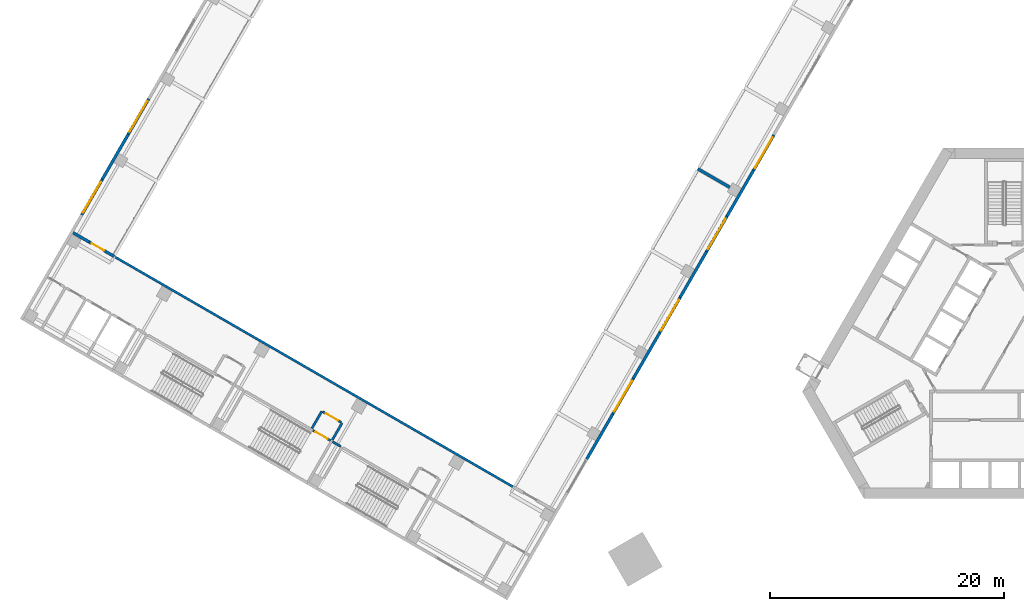
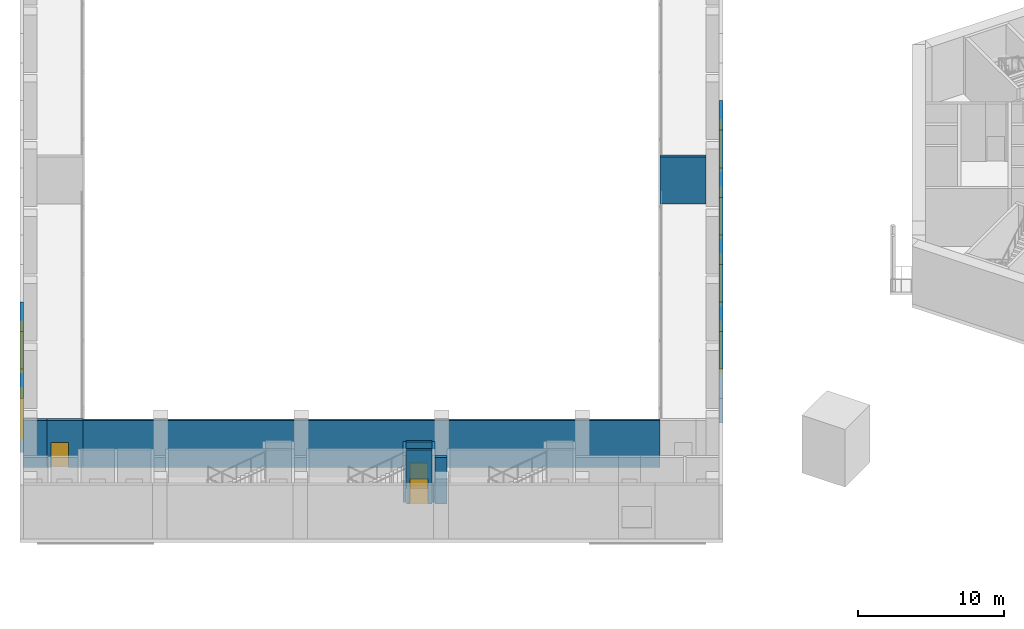
# One storey, part 7 of 28: 20 walls, 6 windows, 3 doors, 9 openings.
"""IFC4 building model written with IfcOpenShell, lengths in metres."""

from ifc_helpers import new_model, si_unit, direction, frame, frame_2d, origin, place, context, subcontext, project, spatial, rectangle, extrude, material, layer, layer_set, type_object, element, fill, save


model = new_model("IFC4")

# Units and contexts
model_context = context("Model", 3, precision=1e-05, world=origin(), true_north=direction((0.0, 1.0)))
body_context = subcontext(model_context, "Body", "Model", "MODEL_VIEW")
ifc_project = project(units=[si_unit("LENGTHUNIT", "METRE"), si_unit("AREAUNIT", "SQUARE_METRE"), si_unit("VOLUMEUNIT", "CUBIC_METRE"), si_unit("PLANEANGLEUNIT", "RADIAN"), si_unit("MASSUNIT", "GRAM", prefix="KILO")], contexts=[model_context])

# Site, building, storey
site_placement = place(None, origin())
site = spatial("IfcSite", under=ifc_project, at=site_placement, CompositionType="ELEMENT")
building_placement = place(site_placement, origin())
building = spatial("IfcBuilding", under=site, at=building_placement, Name="Mestral Congress Tower", CompositionType="ELEMENT")
storey_placement = place(building_placement, frame((0.0, 0.0, 11.39990234375)))
storey = spatial("IfcBuildingStorey", under=building, at=storey_placement, Name="L02", CompositionType="ELEMENT", Elevation=11.39990234375)

# Wall, opening, window
ifc_material_1 = material(Name="Precast concrete C40/50 with limestone facing", Category="masonry")
ifc_layer_1 = layer(ifc_material_1, 0.25)
ifc_layer_set_1 = layer_set([ifc_layer_1], Name="Precast concrete C40/50 with limestone facing")
wall_type_1 = type_object("IfcWallType", Name="Podium external wall 250", PredefinedType="SOLIDWALL", material=ifc_layer_set_1)
wall_1_placement = place(storey_placement, frame((-19.6875, 18.006103515625, 0.0), z_axis=(0.0, 0.0, 1.0), x_axis=(-0.500010275428, -0.866019471182, 0.0)))
wall_1 = element("IfcWall", 1, at=wall_1_placement, inside=storey, type_object=wall_type_1, Name="L02 external wall", PredefinedType="SOLIDWALL", context=body_context, shape_type="SweptSolid", body=[
    extrude(rectangle(XDim=3.5, YDim=0.25, at=frame_2d((1.75, 0.0))), origin(), (0.0, 0.0, 1.0), 4.5),
])
opening_1_placement = place(wall_1_placement, frame((0.25, 0.0, 0.89990234375)))
opening_1 = element("IfcOpeningElement", 2, at=opening_1_placement, cuts=wall_1, Name="Opening PW-3000x2200", PredefinedType="OPENING", context=body_context, shape_type="SweptSolid", body=[
    extrude(rectangle(XDim=3.0, YDim=2.199951171875, at=frame_2d((1.5, 1.10009765625))), frame((0.0, 0.135009765625, 0.0), z_axis=(0.0, -1.0, 0.0), x_axis=(1.0, 0.0, 0.0)), (0.0, 0.0, 1.0), 0.27001953125),
])
ifc_material_2 = material(Name="Aluminium frame, clear double glazing", Category="aluminium")
window_type = type_object("IfcWindowType", Name="Podium window 3000x2200 sill 900", PartitioningType="SINGLE_PANEL", PredefinedType="WINDOW", material=ifc_material_2)
window_1_placement = place(opening_1_placement, origin())
window_1 = element("IfcWindow", 3, at=window_1_placement, inside=storey, type_object=window_type, Name="Window", OverallHeight=2.199951171875, OverallWidth=3.0, PartitioningType="SINGLE_PANEL", PredefinedType="WINDOW", context=body_context, shape_type="SweptSolid", body=[
    extrude(rectangle(XDim=3.0, YDim=2.199951171875, at=frame_2d((1.5, 1.10009765625))), frame((0.0, 0.030029296875, 0.0), z_axis=(0.0, -1.0, 0.0), x_axis=(1.0, 0.0, 0.0)), (0.0, 0.0, 1.0), 0.06005859375),
])
fill(opening_1, window_1)

# Wall
wall_2_placement = place(storey_placement, frame((-21.4375, 14.97509765625, 0.0), z_axis=(0.0, 0.0, 1.0), x_axis=(-0.499990139034, -0.866031096941, 0.0)))
element("IfcWall", 4, at=wall_2_placement, inside=storey, type_object=wall_type_1, Name="L02 external wall", PredefinedType="SOLIDWALL", context=body_context, shape_type="SweptSolid", body=[
    extrude(rectangle(XDim=4.5, YDim=0.25, at=frame_2d((2.25, 0.0))), origin(), (0.0, 0.0, 1.0), 4.5),
])

# Wall, opening, window
wall_3_placement = place(storey_placement, frame((-23.6875, 11.077880859375, 0.0), z_axis=(0.0, 0.0, 1.0), x_axis=(-0.500010275428, -0.866019471182, 0.0)))
wall_3 = element("IfcWall", 5, at=wall_3_placement, inside=storey, type_object=wall_type_1, Name="L02 external wall", PredefinedType="SOLIDWALL", context=body_context, shape_type="SweptSolid", body=[
    extrude(rectangle(XDim=3.5, YDim=0.25, at=frame_2d((1.75, 0.0))), origin(), (0.0, 0.0, 1.0), 4.5),
])
opening_2_placement = place(wall_3_placement, frame((0.25, 0.0, 0.89990234375)))
opening_2 = element("IfcOpeningElement", 6, at=opening_2_placement, cuts=wall_3, Name="Opening PW-3000x2200", PredefinedType="OPENING", context=body_context, shape_type="SweptSolid", body=[
    extrude(rectangle(XDim=3.0, YDim=2.199951171875, at=frame_2d((1.5, 1.10009765625))), frame((0.0, 0.135009765625, 0.0), z_axis=(0.0, -1.0, 0.0), x_axis=(1.0, 0.0, 0.0)), (0.0, 0.0, 1.0), 0.27001953125),
])
window_2_placement = place(opening_2_placement, origin())
window_2 = element("IfcWindow", 7, at=window_2_placement, inside=storey, type_object=window_type, Name="Window", OverallHeight=2.199951171875, OverallWidth=3.0, PartitioningType="SINGLE_PANEL", PredefinedType="WINDOW", context=body_context, shape_type="SweptSolid", body=[
    extrude(rectangle(XDim=3.0, YDim=2.199951171875, at=frame_2d((1.5, 1.10009765625))), frame((0.0, 0.030029296875, 0.0), z_axis=(0.0, -1.0, 0.0), x_axis=(1.0, 0.0, 0.0)), (0.0, 0.0, 1.0), 0.06005859375),
])
fill(opening_2, window_2)

# Wall
wall_4_placement = place(storey_placement, frame((-25.4375, 8.046875, 0.0), z_axis=(0.0, 0.0, 1.0), x_axis=(-0.499990139034, -0.866031096941, 0.0)))
element("IfcWall", 8, at=wall_4_placement, inside=storey, type_object=wall_type_1, Name="L02 external wall", PredefinedType="SOLIDWALL", context=body_context, shape_type="SweptSolid", body=[
    extrude(rectangle(XDim=4.5, YDim=0.25, at=frame_2d((2.25, 0.0))), origin(), (0.0, 0.0, 1.0), 4.5),
])

# Wall, opening, window
wall_5_placement = place(storey_placement, frame((-27.6875, 4.149658203125, 0.0), z_axis=(0.0, 0.0, 1.0), x_axis=(-0.500010275428, -0.866019471182, 0.0)))
wall_5 = element("IfcWall", 9, at=wall_5_placement, inside=storey, type_object=wall_type_1, Name="L02 external wall", PredefinedType="SOLIDWALL", context=body_context, shape_type="SweptSolid", body=[
    extrude(rectangle(XDim=3.5, YDim=0.25, at=frame_2d((1.75, 0.0))), origin(), (0.0, 0.0, 1.0), 4.5),
])
opening_3_placement = place(wall_5_placement, frame((0.25, 0.0, 0.89990234375)))
opening_3 = element("IfcOpeningElement", 10, at=opening_3_placement, cuts=wall_5, Name="Opening PW-3000x2200", PredefinedType="OPENING", context=body_context, shape_type="SweptSolid", body=[
    extrude(rectangle(XDim=3.0, YDim=2.199951171875, at=frame_2d((1.5, 1.10009765625))), frame((0.0, 0.135009765625, 0.0), z_axis=(0.0, -1.0, 0.0), x_axis=(1.0, 0.0, 0.0)), (0.0, 0.0, 1.0), 0.27001953125),
])
window_3_placement = place(opening_3_placement, origin())
window_3 = element("IfcWindow", 11, at=window_3_placement, inside=storey, type_object=window_type, Name="Window", OverallHeight=2.199951171875, OverallWidth=3.0, PartitioningType="SINGLE_PANEL", PredefinedType="WINDOW", context=body_context, shape_type="SweptSolid", body=[
    extrude(rectangle(XDim=3.0, YDim=2.199951171875, at=frame_2d((1.5, 1.10009765625))), frame((0.0, 0.030029296875, 0.0), z_axis=(0.0, -1.0, 0.0), x_axis=(1.0, 0.0, 0.0)), (0.0, 0.0, 1.0), 0.06005859375),
])
fill(opening_3, window_3)

# Wall
wall_6_placement = place(storey_placement, frame((-29.4375, 1.11865234375, 0.0), z_axis=(0.0, 0.0, 1.0), x_axis=(-0.499990139034, -0.866031096941, 0.0)))
element("IfcWall", 12, at=wall_6_placement, inside=storey, type_object=wall_type_1, Name="L02 external wall", PredefinedType="SOLIDWALL", context=body_context, shape_type="SweptSolid", body=[
    extrude(rectangle(XDim=4.5, YDim=0.25, at=frame_2d((2.25, 0.0))), origin(), (0.0, 0.0, 1.0), 4.5),
])

# Wall, opening, window
wall_7_placement = place(storey_placement, frame((-31.6875, -2.778564453125, 0.0), z_axis=(0.0, 0.0, 1.0), x_axis=(-0.500010275428, -0.866019471182, 0.0)))
wall_7 = element("IfcWall", 13, at=wall_7_placement, inside=storey, type_object=wall_type_1, Name="L02 external wall", PredefinedType="SOLIDWALL", context=body_context, shape_type="SweptSolid", body=[
    extrude(rectangle(XDim=3.5, YDim=0.25, at=frame_2d((1.75, 0.0))), origin(), (0.0, 0.0, 1.0), 4.5),
])
opening_4_placement = place(wall_7_placement, frame((0.25, 0.0, 0.89990234375)))
opening_4 = element("IfcOpeningElement", 14, at=opening_4_placement, cuts=wall_7, Name="Opening PW-3000x2200", PredefinedType="OPENING", context=body_context, shape_type="SweptSolid", body=[
    extrude(rectangle(XDim=3.0, YDim=2.199951171875, at=frame_2d((1.5, 1.10009765625))), frame((0.0, 0.135009765625, 0.0), z_axis=(0.0, -1.0, 0.0), x_axis=(1.0, 0.0, 0.0)), (0.0, 0.0, 1.0), 0.27001953125),
])
window_4_placement = place(opening_4_placement, origin())
window_4 = element("IfcWindow", 15, at=window_4_placement, inside=storey, type_object=window_type, Name="Window", OverallHeight=2.199951171875, OverallWidth=3.0, PartitioningType="SINGLE_PANEL", PredefinedType="WINDOW", context=body_context, shape_type="SweptSolid", body=[
    extrude(rectangle(XDim=3.0, YDim=2.199951171875, at=frame_2d((1.5, 1.10009765625))), frame((0.0, 0.030029296875, 0.0), z_axis=(0.0, -1.0, 0.0), x_axis=(1.0, 0.0, 0.0)), (0.0, 0.0, 1.0), 0.06005859375),
])
fill(opening_4, window_4)

# Wall
wall_8_placement = place(storey_placement, frame((-33.4375, -5.8095703125, 0.0), z_axis=(0.0, 0.0, 1.0), x_axis=(-0.499990705068, -0.866030770149, 0.0)))
element("IfcWall", 16, at=wall_8_placement, inside=storey, type_object=wall_type_1, Name="L02 external wall", PredefinedType="SOLIDWALL", context=body_context, shape_type="SweptSolid", body=[
    extrude(rectangle(XDim=4.43798828125, YDim=0.25, at=frame_2d((2.218994140625, 0.0))), origin(), (0.0, 0.0, 1.0), 4.5),
])

# Wall, opening, window
wall_9_placement = place(storey_placement, frame((-74.790283203125, 18.0654296875, 0.0), z_axis=(0.0, 0.0, 1.0), x_axis=(0.500010275428, 0.866019471182, 0.0)))
wall_9 = element("IfcWall", 17, at=wall_9_placement, inside=storey, type_object=wall_type_1, Name="L02 external wall", PredefinedType="SOLIDWALL", context=body_context, shape_type="SweptSolid", body=[
    extrude(rectangle(XDim=3.5, YDim=0.25, at=frame_2d((1.75, 0.0))), origin(), (0.0, 0.0, 1.0), 4.5),
])
opening_5_placement = place(wall_9_placement, frame((0.25, 0.0, 0.89990234375)))
opening_5 = element("IfcOpeningElement", 18, at=opening_5_placement, cuts=wall_9, Name="Opening PW-3000x2200", PredefinedType="OPENING", context=body_context, shape_type="SweptSolid", body=[
    extrude(rectangle(XDim=3.0, YDim=2.199951171875, at=frame_2d((1.5, 1.10009765625))), frame((0.0, 0.135009765625, 0.0), z_axis=(0.0, -1.0, 0.0), x_axis=(1.0, 0.0, 0.0)), (0.0, 0.0, 1.0), 0.27001953125),
])
window_5_placement = place(opening_5_placement, origin())
window_5 = element("IfcWindow", 19, at=window_5_placement, inside=storey, type_object=window_type, Name="Window", OverallHeight=2.199951171875, OverallWidth=3.0, PartitioningType="SINGLE_PANEL", PredefinedType="WINDOW", context=body_context, shape_type="SweptSolid", body=[
    extrude(rectangle(XDim=3.0, YDim=2.199951171875, at=frame_2d((1.5, 1.10009765625))), frame((0.0, 0.030029296875, 0.0), z_axis=(0.0, -1.0, 0.0), x_axis=(1.0, 0.0, 0.0)), (0.0, 0.0, 1.0), 0.06005859375),
])
fill(opening_5, window_5)

# Wall
wall_10_placement = place(storey_placement, frame((-77.00927734375, 14.221923828125, 0.0), z_axis=(0.0, 0.0, 1.0), x_axis=(0.499990705068, 0.866030770149, 0.0)))
element("IfcWall", 20, at=wall_10_placement, inside=storey, type_object=wall_type_1, Name="L02 external wall", PredefinedType="SOLIDWALL", context=body_context, shape_type="SweptSolid", body=[
    extrude(rectangle(XDim=4.43798828125, YDim=0.25, at=frame_2d((2.218994140625, 0.0))), origin(), (0.0, 0.0, 1.0), 4.5),
])

# Wall, opening, window
wall_11_placement = place(storey_placement, frame((-78.75927734375, 11.19091796875, 0.0), z_axis=(0.0, 0.0, 1.0), x_axis=(0.500010275428, 0.866019471182, 0.0)))
wall_11 = element("IfcWall", 21, at=wall_11_placement, inside=storey, type_object=wall_type_1, Name="L02 external wall", PredefinedType="SOLIDWALL", context=body_context, shape_type="SweptSolid", body=[
    extrude(rectangle(XDim=3.5, YDim=0.25, at=frame_2d((1.75, 0.0))), origin(), (0.0, 0.0, 1.0), 4.5),
])
opening_6_placement = place(wall_11_placement, frame((0.25, 0.0, 0.89990234375)))
opening_6 = element("IfcOpeningElement", 22, at=opening_6_placement, cuts=wall_11, Name="Opening PW-3000x2200", PredefinedType="OPENING", context=body_context, shape_type="SweptSolid", body=[
    extrude(rectangle(XDim=3.0, YDim=2.199951171875, at=frame_2d((1.5, 1.10009765625))), frame((0.0, 0.135009765625, 0.0), z_axis=(0.0, -1.0, 0.0), x_axis=(1.0, 0.0, 0.0)), (0.0, 0.0, 1.0), 0.27001953125),
])
window_6_placement = place(opening_6_placement, origin())
window_6 = element("IfcWindow", 23, at=window_6_placement, inside=storey, type_object=window_type, Name="Window", OverallHeight=2.199951171875, OverallWidth=3.0, PartitioningType="SINGLE_PANEL", PredefinedType="WINDOW", context=body_context, shape_type="SweptSolid", body=[
    extrude(rectangle(XDim=3.0, YDim=2.199951171875, at=frame_2d((1.5, 1.10009765625))), frame((0.0, 0.030029296875, 0.0), z_axis=(0.0, -1.0, 0.0), x_axis=(1.0, 0.0, 0.0)), (0.0, 0.0, 1.0), 0.06005859375),
])
fill(opening_6, window_6)

# Wall
ifc_material_3 = material(Name="Masonry block wall", Category="masonry")
ifc_layer_2 = layer(ifc_material_3, 0.25)
ifc_layer_set_2 = layer_set([ifc_layer_2], Name="Masonry block wall")
wall_type_2 = type_object("IfcWallType", Name="Podium hall wall 250 EI 180", PredefinedType="SOLIDWALL", material=ifc_layer_set_2)
wall_12_placement = place(storey_placement, frame((-23.4501953125, 13.5390625, 0.0), z_axis=(0.0, 0.0, 1.0), x_axis=(-0.866035871367, 0.499981869177, 0.0)))
element("IfcWall", 24, at=wall_12_placement, inside=storey, type_object=wall_type_2, Name="L02 partition", PredefinedType="SOLIDWALL", context=body_context, shape_type="SweptSolid", body=[
    extrude(rectangle(XDim=3.14990234375, YDim=0.25, at=frame_2d((1.574951171875, 0.0))), origin(), (0.0, 0.0, 1.0), 3.900146484375),
])

# Wall, opening, door
wall_13_placement = place(storey_placement, frame((-75.987060546875, 7.642333984375, 0.0), z_axis=(0.0, 0.0, 1.0), x_axis=(-0.866014668023, 0.500018594424, 0.0)))
wall_13 = element("IfcWall", 25, at=wall_13_placement, inside=storey, type_object=wall_type_2, Name="L02 partition", PredefinedType="SOLIDWALL", context=body_context, shape_type="SweptSolid", body=[
    extrude(rectangle(XDim=2.4501953125, YDim=0.25, at=frame_2d((1.22509765625, 0.0))), origin(), (0.0, 0.0, 1.0), 3.900146484375),
])
opening_7_placement = place(wall_13_placement, frame((1.0, 0.0, 0.0)))
opening_7 = element("IfcOpeningElement", 26, at=opening_7_placement, cuts=wall_13, Name="Opening P02-320", PredefinedType="OPENING", context=body_context, shape_type="SweptSolid", body=[
    extrude(rectangle(XDim=1.199951171875, YDim=2.10009765625, at=frame_2d((0.60009765625, 1.050048828125))), frame((0.0, 0.135009765625, 0.0), z_axis=(0.0, -1.0, 0.0), x_axis=(1.0, 0.0, 0.0)), (0.0, 0.0, 1.0), 0.27001953125),
])
ifc_material_4 = material(Name="Fire-rated steel door set", Category="steel")
door_type_1 = type_object("IfcDoorType", Name="Podium hall door 1200x2100 EI2 90-C5", OperationType="SINGLE_SWING_LEFT", PredefinedType="DOOR", material=ifc_material_4)
door_1_placement = place(opening_7_placement, origin())
door_1 = element("IfcDoor", 27, at=door_1_placement, inside=storey, type_object=door_type_1, Name="Door P02-320", OperationType="SINGLE_SWING_LEFT", OverallHeight=2.10009765625, OverallWidth=1.199951171875, PredefinedType="DOOR", context=body_context, shape_type="SweptSolid", body=[
    extrude(rectangle(XDim=1.199951171875, YDim=2.10009765625, at=frame_2d((0.60009765625, 1.050048828125))), frame((0.0, 0.02490234375, 0.0), z_axis=(0.0, -1.0, 0.0), x_axis=(1.0, 0.0, 0.0)), (0.0, 0.0, 1.0), 0.050048828125),
])
fill(opening_7, door_1)

# Wall
wall_14_placement = place(storey_placement, frame((-78.10888671875, 8.867431640625, 0.0), z_axis=(0.0, 0.0, 1.0), x_axis=(-0.865989903783, 0.500061482766, 0.0)))
element("IfcWall", 28, at=wall_14_placement, inside=storey, type_object=wall_type_2, Name="L02 partition", PredefinedType="SOLIDWALL", context=body_context, shape_type="SweptSolid", body=[
    extrude(rectangle(XDim=1.599853515625, YDim=0.25, at=frame_2d((0.7998046875, 0.0))), origin(), (0.0, 0.0, 1.0), 3.900146484375),
])

# Wall, opening, door
ifc_layer_3 = layer(ifc_material_3, 0.199951171875)
ifc_layer_set_3 = layer_set([ifc_layer_3], Name="Masonry block wall")
wall_type_3 = type_object("IfcWallType", Name="Podium stair enclosure wall 200 EI 120 load-bearing", PredefinedType="SOLIDWALL", material=ifc_layer_set_3)
wall_15_placement = place(storey_placement, frame((-57.52001953125, -8.0712890625, 0.0), z_axis=(0.0, 0.0, 1.0), x_axis=(-0.866002029911, 0.500040482552, 0.0)))
wall_15 = element("IfcWall", 29, at=wall_15_placement, inside=storey, type_object=wall_type_3, Name="L02 partition", PredefinedType="SOLIDWALL", context=body_context, shape_type="SweptSolid", body=[
    extrude(rectangle(XDim=1.749755859375, YDim=0.199951171875, at=frame_2d((0.875, 0.0))), origin(), (0.0, 0.0, 1.0), 4.5),
])
opening_8_placement = place(wall_15_placement, frame((0.300048828125, 0.0, 0.0)))
opening_8 = element("IfcOpeningElement", 30, at=opening_8_placement, cuts=wall_15, Name="Opening P02-305", PredefinedType="OPENING", context=body_context, shape_type="SweptSolid", body=[
    extrude(rectangle(XDim=1.199951171875, YDim=2.10009765625, at=frame_2d((0.60009765625, 1.050048828125))), frame((0.0, 0.10986328125, 0.0), z_axis=(0.0, -1.0, 0.0), x_axis=(1.0, 0.0, 0.0)), (0.0, 0.0, 1.0), 0.219970703125),
])
door_type_2 = type_object("IfcDoorType", Name="Podium stair door 1200x2100 EI2 30-C5", OperationType="SINGLE_SWING_LEFT", PredefinedType="DOOR", material=ifc_material_4)
door_2_placement = place(opening_8_placement, origin())
door_2 = element("IfcDoor", 31, at=door_2_placement, inside=storey, type_object=door_type_2, Name="Door P02-305", OperationType="SINGLE_SWING_LEFT", OverallHeight=2.10009765625, OverallWidth=1.199951171875, PredefinedType="DOOR", context=body_context, shape_type="SweptSolid", body=[
    extrude(rectangle(XDim=1.199951171875, YDim=2.10009765625, at=frame_2d((0.60009765625, 1.050048828125))), frame((0.0, 0.02490234375, 0.0), z_axis=(0.0, -1.0, 0.0), x_axis=(1.0, 0.0, 0.0)), (0.0, 0.0, 1.0), 0.050048828125),
])
fill(opening_8, door_2)

# Walls
ifc_material_5 = material(Name="Fire-rated board partition")
ifc_layer_4 = layer(ifc_material_5, 0.199951171875)
ifc_layer_set_4 = layer_set([ifc_layer_4], Name="Fire-rated board partition")
wall_type_4 = type_object("IfcWallType", Name="Podium vestibule wall 200 EI 120", PredefinedType="PARTITIONING", material=ifc_layer_set_4)
for number, where, z_axis, x_axis, name in (
    (32, (-56.533203125, -6.5625, 0.0), (0.0, 0.0, 1.0), (-0.500000056704, -0.866025371046, 0.0), "L02 partition"),
    (33, (-58.265380859375, -5.5625, 0.0), (0.0, 0.0, 1.0), (-0.500000056704, -0.866025371046, 0.0), "L02 partition"),
):
    element("IfcWall", number, at=place(storey_placement, frame(where, z_axis=z_axis, x_axis=x_axis)), inside=storey, type_object=wall_type_4, Name=name, PredefinedType="PARTITIONING", context=body_context, shape_type="SweptSolid", body=[
        extrude(rectangle(XDim=1.7001953125, YDim=0.199951171875, at=frame_2d((0.85009765625, 0.0))), origin(), (0.0, 0.0, 1.0), 3.900146484375),
    ])

# Wall, opening, door
wall_16_placement = place(storey_placement, frame((-56.619873046875, -6.5126953125, 0.0), z_axis=(0.0, 0.0, 1.0), x_axis=(-0.865989075817, 0.500062916607, 0.0)))
wall_16 = element("IfcWall", 34, at=wall_16_placement, inside=storey, type_object=wall_type_4, Name="L02 partition", PredefinedType="PARTITIONING", context=body_context, shape_type="SweptSolid", body=[
    extrude(rectangle(XDim=1.800048828125, YDim=0.199951171875, at=frame_2d((0.89990234375, 0.0))), origin(), (0.0, 0.0, 1.0), 3.900146484375),
])
opening_9_placement = place(wall_16_placement, frame((0.300048828125, 0.0, 0.0)))
opening_9 = element("IfcOpeningElement", 35, at=opening_9_placement, cuts=wall_16, Name="Opening P02-315", PredefinedType="OPENING", context=body_context, shape_type="SweptSolid", body=[
    extrude(rectangle(XDim=1.199951171875, YDim=2.10009765625, at=frame_2d((0.60009765625, 1.050048828125))), frame((0.0, 0.10986328125, 0.0), z_axis=(0.0, -1.0, 0.0), x_axis=(1.0, 0.0, 0.0)), (0.0, 0.0, 1.0), 0.219970703125),
])
door_type_3 = type_object("IfcDoorType", Name="Podium vestibule door 1200x2100 EI2 30-C5", OperationType="SINGLE_SWING_LEFT", PredefinedType="DOOR", material=ifc_material_4)
door_3_placement = place(opening_9_placement, origin())
door_3 = element("IfcDoor", 36, at=door_3_placement, inside=storey, type_object=door_type_3, Name="Door P02-315", OperationType="SINGLE_SWING_LEFT", OverallHeight=2.10009765625, OverallWidth=1.199951171875, PredefinedType="DOOR", context=body_context, shape_type="SweptSolid", body=[
    extrude(rectangle(XDim=1.199951171875, YDim=2.10009765625, at=frame_2d((0.60009765625, 1.050048828125))), frame((0.0, 0.02490234375, 0.0), z_axis=(0.0, -1.0, 0.0), x_axis=(1.0, 0.0, 0.0)), (0.0, 0.0, 1.0), 0.050048828125),
])
fill(opening_9, door_3)

# Walls
wall_17_placement = place(storey_placement, frame((-41.86572265625, -12.0576171875, 0.0), z_axis=(0.0, 0.0, 1.0), x_axis=(-0.866025540551, 0.499999763114, 0.0)))
element("IfcWall", 37, at=wall_17_placement, inside=storey, type_object=wall_type_4, Name="L02 partition", PredefinedType="PARTITIONING", context=body_context, shape_type="SweptSolid", body=[
    extrude(rectangle(XDim=39.39990234375, YDim=0.199951171875, at=frame_2d((19.699951171875, 0.0))), origin(), (0.0, 0.0, 1.0), 3.900146484375),
])
wall_18_placement = place(storey_placement, frame((-56.65380859375, -8.5712890625, 0.0), z_axis=(0.0, 0.0, 1.0), x_axis=(-0.866094119867, 0.499880961361, 0.0)))
element("IfcWall", 38, at=wall_18_placement, inside=storey, type_object=wall_type_4, Name="L02 partition", PredefinedType="PARTITIONING", context=body_context, shape_type="SweptSolid", body=[
    extrude(rectangle(XDim=0.800048828125, YDim=0.199951171875, at=frame_2d((0.39990234375, 0.0))), origin(), (0.0, 0.0, 1.0), 3.900146484375),
])

save(model, "model.ifc")
